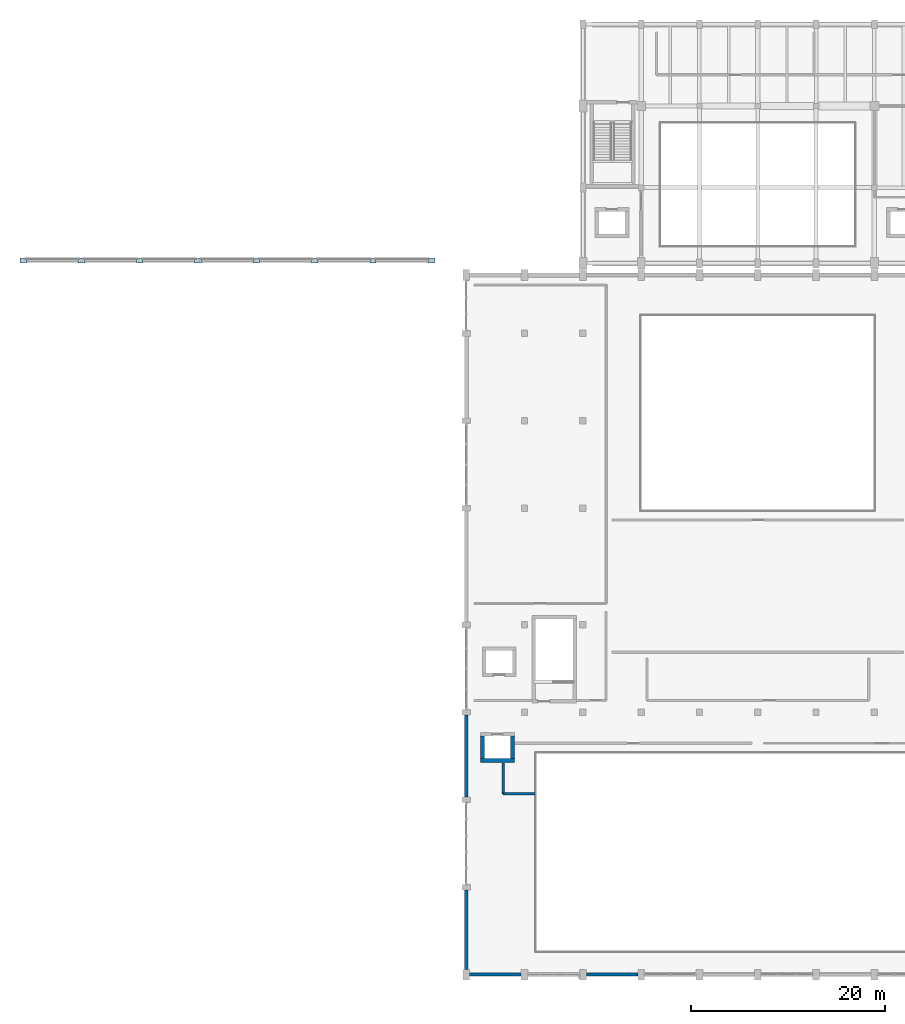
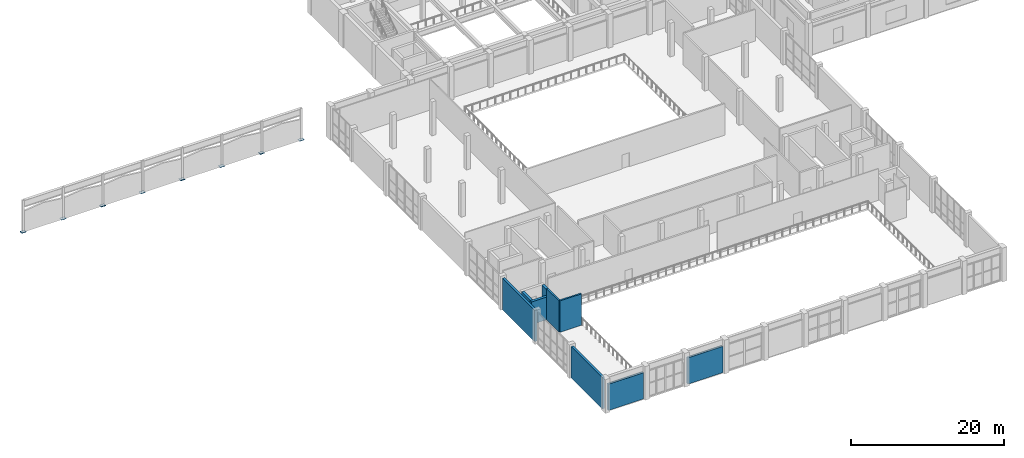
# One storey, part 26 of 41: 9 walls, 8 plates.
"""IFC4 building model written with IfcOpenShell, lengths in metres."""

from ifc_helpers import new_model, si_unit, direction, frame, frame_2d, origin, origin_2d, place, context, subcontext, project, spatial, rectangle, extrude, material, layer, layer_set, type_object, element, save


model = new_model("IFC4")

# Units and contexts
model_context = context("Model", 3, precision=1e-05, world=origin(), true_north=direction((0.0, 1.0)))
body_context = subcontext(model_context, "Body", "Model", "MODEL_VIEW")
ifc_project = project(units=[si_unit("LENGTHUNIT", "METRE"), si_unit("AREAUNIT", "SQUARE_METRE"), si_unit("VOLUMEUNIT", "CUBIC_METRE"), si_unit("PLANEANGLEUNIT", "RADIAN"), si_unit("MASSUNIT", "GRAM", prefix="KILO")], contexts=[model_context])

# Site, building, storey
site_placement = place(None, origin())
site = spatial("IfcSite", under=ifc_project, at=site_placement, CompositionType="ELEMENT")
building_placement = place(site_placement, origin())
building = spatial("IfcBuilding", under=site, at=building_placement, Name="Vaelkrest Opera House", CompositionType="ELEMENT")
storey_placement = place(building_placement, frame((0.0, 0.0, 24.60009765625)))
storey = spatial("IfcBuildingStorey", under=building, at=storey_placement, Name="L05", CompositionType="ELEMENT", Elevation=24.60009765625)

# Plates
ifc_material_1 = material(Name="Steel A572 Gr50", Category="steel")
ifc_layer_1 = layer(ifc_material_1, 0.035888671875)
ifc_layer_set_1 = layer_set([ifc_layer_1], Name="Steel A572 Gr50")
plate_type_1 = type_object("IfcPlateType", Name="GP05", PredefinedType="USERDEFINED", material=ifc_layer_set_1)
for number, where, z_axis, x_axis, name in (
    (1, (-75.60009765625, 17.699951171875, 0.0), (0.0, 0.0, 1.0), (1.0, 0.0, 0.0), "Roof leg base plate V3-N-00"),
    (2, (-63.60009765625, 17.699951171875, 0.0), (0.0, 0.0, 1.0), (1.0, 0.0, 0.0), "Roof leg base plate V3-N-02"),
    (3, (-51.60009765625, 17.699951171875, 0.0), (0.0, 0.0, 1.0), (1.0, 0.0, 0.0), "Roof leg base plate V3-N-04"),
    (4, (-39.60009765625, 17.699951171875, 0.0), (0.0, 0.0, 1.0), (1.0, 0.0, 0.0), "Roof leg base plate V3-N-06"),
):
    element("IfcPlate", number, at=place(storey_placement, frame(where, z_axis=z_axis, x_axis=x_axis)), inside=storey, type_object=plate_type_1, Name=name, ObjectType="GUSSET PLATE", PredefinedType="USERDEFINED", context=body_context, shape_type="SweptSolid", body=[
        extrude(rectangle(XDim=0.659912109375, YDim=0.5, at=origin_2d()), origin(), (0.0, 0.0, 1.0), 0.035888671875),
    ])
ifc_layer_2 = layer(ifc_material_1, 0.0400390625)
ifc_layer_set_2 = layer_set([ifc_layer_2], Name="Steel A572 Gr50")
plate_type_2 = type_object("IfcPlateType", Name="GP06", PredefinedType="USERDEFINED", material=ifc_layer_set_2)
for number, where, z_axis, x_axis, name in (
    (5, (-69.60009765625, 17.699951171875, 0.0), (0.0, 0.0, 1.0), (1.0, 0.0, 0.0), "Roof leg base plate V3-N-01"),
    (6, (-57.60009765625, 17.699951171875, 0.0), (0.0, 0.0, 1.0), (1.0, 0.0, 0.0), "Roof leg base plate V3-N-03"),
    (7, (-45.60009765625, 17.699951171875, 0.0), (0.0, 0.0, 1.0), (1.0, 0.0, 0.0), "Roof leg base plate V3-N-05"),
    (8, (-33.60009765625, 17.699951171875, 0.0), (0.0, 0.0, 1.0), (1.0, 0.0, 0.0), "Roof leg base plate V3-N-07"),
):
    element("IfcPlate", number, at=place(storey_placement, frame(where, z_axis=z_axis, x_axis=x_axis)), inside=storey, type_object=plate_type_2, Name=name, ObjectType="GUSSET PLATE", PredefinedType="USERDEFINED", context=body_context, shape_type="SweptSolid", body=[
        extrude(rectangle(XDim=0.719970703125, YDim=0.550048828125, at=origin_2d()), origin(), (0.0, 0.0, 1.0), 0.0400390625),
    ])

# Walls
ifc_material_2 = material(Name="Douglas fir glulam GL28h", Category="wood")
ifc_layer_3 = layer(ifc_material_2, 0.294921875)
ifc_layer_set_3 = layer_set([ifc_layer_3], Name="Douglas fir glulam GL28h")
wall_type_1 = type_object("IfcWallType", Name="EW03", PredefinedType="STANDARD", material=ifc_layer_set_3)
wall_1_placement = place(storey_placement, frame((-12.347900390625, -55.800048828125, 0.0), z_axis=(0.0, 0.0, 1.0), x_axis=(-1.0, 0.0, 0.0)))
element("IfcWall", 9, at=wall_1_placement, inside=storey, type_object=wall_type_1, Name="Exterior facade wall EW-V1-L05-0123", PredefinedType="STANDARD", context=body_context, shape_type="SweptSolid", body=[
    extrude(rectangle(XDim=5.30419921875, YDim=0.294921875, at=frame_2d((2.652099609375, 0.0))), origin(), (0.0, 0.0, 1.0), 4.197021484375),
])
ifc_material_3 = material(Name="American black walnut acoustic timber", Category="wood")
ifc_layer_4 = layer(ifc_material_3, 0.31494140625)
ifc_layer_set_4 = layer_set([ifc_layer_4], Name="American black walnut acoustic timber")
wall_type_2 = type_object("IfcWallType", Name="EW04", PredefinedType="STANDARD", material=ifc_layer_set_4)
wall_2_placement = place(storey_placement, frame((-24.347900390625, -55.800048828125, 0.0), z_axis=(0.0, 0.0, 1.0), x_axis=(-1.0, 0.0, 0.0)))
element("IfcWall", 10, at=wall_2_placement, inside=storey, type_object=wall_type_2, Name="Exterior facade wall EW-V1-L05-0124", PredefinedType="STANDARD", context=body_context, shape_type="SweptSolid", body=[
    extrude(rectangle(XDim=5.30419921875, YDim=0.31494140625, at=frame_2d((2.652099609375, 0.0))), origin(), (0.0, 0.0, 1.0), 4.197021484375),
])
ifc_layer_5 = layer(ifc_material_3, 0.3349609375)
ifc_layer_set_5 = layer_set([ifc_layer_5], Name="American black walnut acoustic timber")
wall_type_3 = type_object("IfcWallType", Name="EW05", PredefinedType="STANDARD", material=ifc_layer_set_5)
wall_3_placement = place(storey_placement, frame((-30.0, -55.251953125, 0.0), z_axis=(0.0, 0.0, 1.0), x_axis=(0.0, 1.0, 0.0)))
element("IfcWall", 11, at=wall_3_placement, inside=storey, type_object=wall_type_3, Name="Exterior facade wall EW-V1-L05-0125", PredefinedType="STANDARD", context=body_context, shape_type="SweptSolid", body=[
    extrude(rectangle(XDim=8.154052734375, YDim=0.3349609375, at=frame_2d((4.0771484375, 0.0))), origin(), (0.0, 0.0, 1.0), 5.0498046875),
])
ifc_layer_6 = layer(ifc_material_3, 0.360107421875)
ifc_layer_set_6 = layer_set([ifc_layer_6], Name="American black walnut acoustic timber")
wall_type_4 = type_object("IfcWallType", Name="EW06", PredefinedType="STANDARD", material=ifc_layer_set_6)
wall_4_placement = place(storey_placement, frame((-30.0, -37.501953125, 0.0), z_axis=(0.0, 0.0, 1.0), x_axis=(0.0, 1.0, 0.0)))
element("IfcWall", 12, at=wall_4_placement, inside=storey, type_object=wall_type_4, Name="Exterior facade wall EW-V1-L05-0126", PredefinedType="STANDARD", context=body_context, shape_type="SweptSolid", body=[
    extrude(rectangle(XDim=8.404052734375, YDim=0.360107421875, at=frame_2d((4.2021484375, 0.0))), origin(), (0.0, 0.0, 1.0), 5.0498046875),
])
ifc_material_4 = material(Name="Concrete C40/50", Category="concrete")
ifc_layer_7 = layer(ifc_material_4, 0.260009765625)
ifc_layer_set_7 = layer_set([ifc_layer_7], Name="Concrete C40/50")
wall_type_5 = type_object("IfcWallType", Name="PT10", PredefinedType="PARTITIONING", material=ifc_layer_set_7)
wall_5_placement = place(storey_placement, frame((-26.199951171875, -37.199951171875, 0.0), z_axis=(0.0, 0.0, 1.0), x_axis=(1.0, 0.0, 0.0)))
element("IfcWall", 13, at=wall_5_placement, inside=storey, type_object=wall_type_5, Name="Interior partition PT-V1-L05-0134", PredefinedType="PARTITIONING", context=body_context, shape_type="SweptSolid", body=[
    extrude(rectangle(XDim=3.25, YDim=0.260009765625, at=frame_2d((1.625, 0.0))), origin(), (0.0, 0.0, 1.0), 5.02001953125),
])
wall_6_placement = place(storey_placement, frame((-26.199951171875, -37.199951171875, 0.0), z_axis=(0.0, 0.0, 1.0), x_axis=(0.0, 1.0, 0.0)))
element("IfcWall", 14, at=wall_6_placement, inside=storey, type_object=wall_type_5, Name="Interior partition PT-V1-L05-0136", PredefinedType="PARTITIONING", context=body_context, shape_type="SweptSolid", body=[
    extrude(rectangle(XDim=3.199951171875, YDim=0.260009765625, at=frame_2d((1.60009765625, 0.0))), origin(), (0.0, 0.0, 1.0), 5.02001953125),
])
ifc_material_5 = material(Name="Concrete C50/60", Category="concrete")
ifc_layer_8 = layer(ifc_material_5, 0.389892578125)
ifc_layer_set_8 = layer_set([ifc_layer_8], Name="Concrete C50/60")
wall_type_6 = type_object("IfcWallType", Name="SW02", PredefinedType="SHEAR", material=ifc_layer_set_8)
wall_7_placement = place(storey_placement, frame((-25.06005859375, -33.7451171875, 0.0), z_axis=(0.0, 0.0, 1.0), x_axis=(-1.0, 0.0, 0.0)))
element("IfcWall", 15, at=wall_7_placement, inside=storey, type_object=wall_type_6, Name="Lift shaft LP03 wall L05 S", PredefinedType="SHEAR", context=body_context, shape_type="SweptSolid", body=[
    extrude(rectangle(XDim=3.47998046875, YDim=0.389892578125, at=frame_2d((1.739990234375, 0.0))), origin(), (0.0, 0.0, 1.0), 3.618896484375),
])
for number, where, z_axis, x_axis, name in (
    (16, (-28.344970703125, -33.550048828125, 0.0), (0.0, 0.0, 1.0), (0.0, 1.0, 0.0), "Lift shaft LP03 wall L05 W"),
    (17, (-25.2548828125, -31.25, 0.0), (0.0, 0.0, 1.0), (0.0, -1.0, 0.0), "Lift shaft LP03 wall L05 E"),
):
    element("IfcWall", number, at=place(storey_placement, frame(where, z_axis=z_axis, x_axis=x_axis)), inside=storey, type_object=wall_type_6, Name=name, PredefinedType="SHEAR", context=body_context, shape_type="SweptSolid", body=[
        extrude(rectangle(XDim=2.300048828125, YDim=0.389892578125, at=frame_2d((1.14990234375, 0.0))), origin(), (0.0, 0.0, 1.0), 3.618896484375),
    ])

save(model, "model.ifc")
